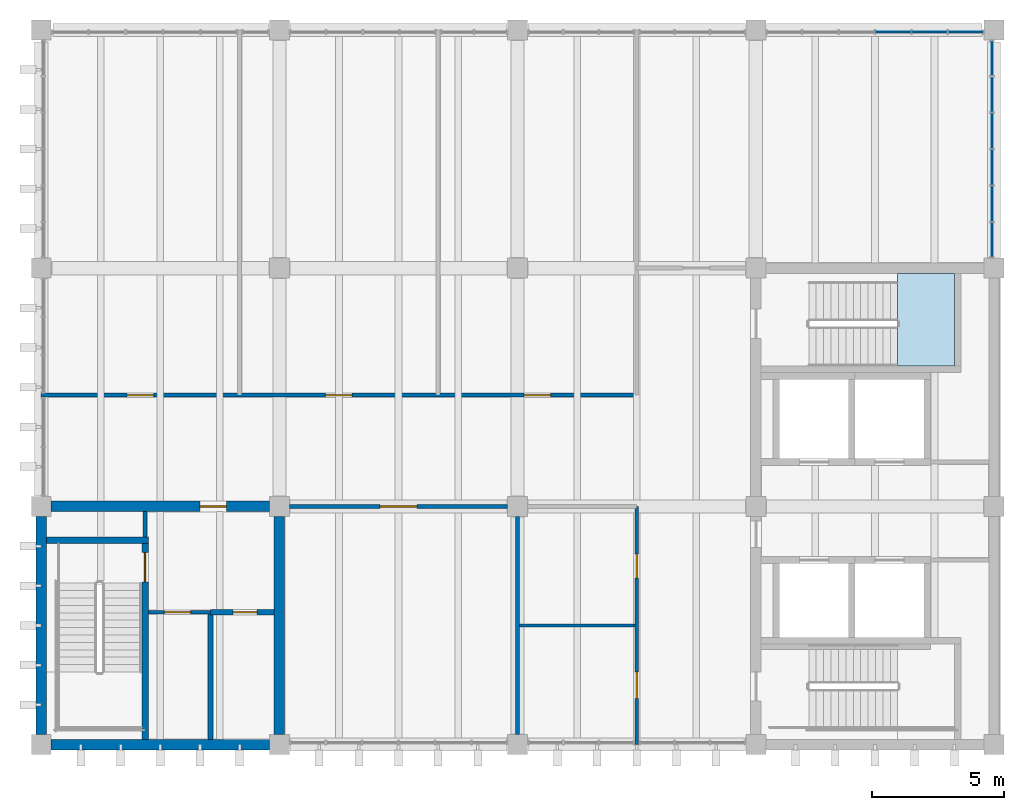
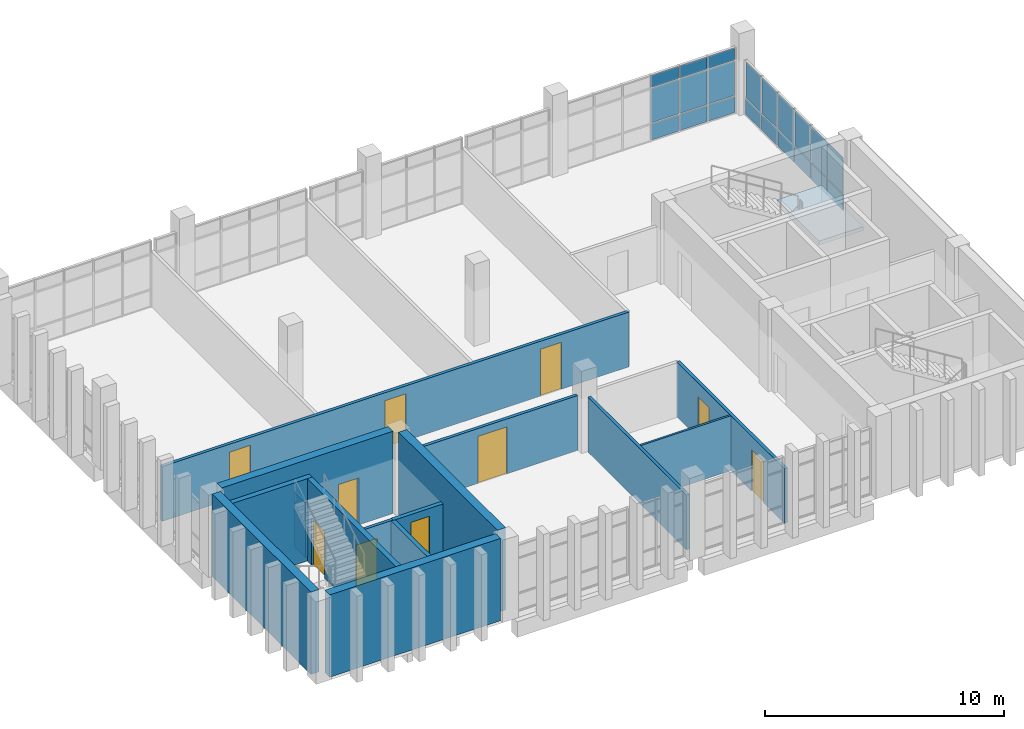
# One storey, part 9 of 14: 21 plates, 15 walls, 10 doors, 1 slab, 10 openings, 3 elements without a shape of their own.
"""IFC4 building model written with IfcOpenShell, lengths in metres."""

from ifc_helpers import new_model, si_unit, direction, frame, frame_2d, origin, origin_2d, place, context, subcontext, project, spatial, polyline, rectangle, outline, extrude, material, layer, layer_set, type_object, element, fill, aggregate, save


model = new_model("IFC4")

# Units and contexts
model_context = context("Model", 3, precision=1e-05, world=origin(), true_north=direction((0.0, 1.0)))
body_context = subcontext(model_context, "Body", "Model", "MODEL_VIEW")
ifc_project = project(units=[si_unit("LENGTHUNIT", "METRE"), si_unit("AREAUNIT", "SQUARE_METRE"), si_unit("VOLUMEUNIT", "CUBIC_METRE"), si_unit("PLANEANGLEUNIT", "RADIAN"), si_unit("MASSUNIT", "GRAM", prefix="KILO")], contexts=[model_context])

# Site, building, storey
site_placement = place(None, origin())
site = spatial("IfcSite", under=ifc_project, at=site_placement, CompositionType="ELEMENT")
building_placement = place(site_placement, origin())
building = spatial("IfcBuilding", under=site, at=building_placement, Name="Merrow Basin Faculty of Sciences", CompositionType="ELEMENT")
storey_placement = place(building_placement, frame((0.0, 0.0, 27.0)))
storey = spatial("IfcBuildingStorey", under=building, at=storey_placement, Name="L06", CompositionType="ELEMENT", Elevation=27.0)

# Curtain wall, plates
ifc_material_1 = material(Name="Aluminium alloy 6063", Category="aluminium")
curtain_wall_type = type_object("IfcCurtainWallType", Name="Unitised curtain wall 160", PredefinedType="NOTDEFINED", material=ifc_material_1)
curtain_wall_1_placement = place(storey_placement, origin())
curtain_wall_1 = element("IfcCurtainWall", 1, at=curtain_wall_1_placement, inside=storey, type_object=curtain_wall_type, Name="N curtain wall L06 7", PredefinedType="NOTDEFINED")
ifc_material_2 = material(Name="Insulated aluminium spandrel panel", Category="aluminium")
ifc_layer_1 = layer(ifc_material_2, 0.052001953125)
ifc_layer_set_1 = layer_set([ifc_layer_1], Name="Insulated spandrel panel 52")
plate_type_1 = type_object("IfcPlateType", Name="Insulated spandrel panel 52", PredefinedType="CURTAIN_PANEL", material=ifc_layer_set_1)
plate_1_placement = place(storey_placement, frame((50.1875, 168.919921875, 0.06005859375), z_axis=(0.0, 0.0, 1.0), x_axis=(1.0, 0.0, 0.0)))
plate_1 = element("IfcPlate", 2, at=plate_1_placement, type_object=plate_type_1, Name="CW3 panel 4.1", PredefinedType="CURTAIN_PANEL", context=body_context, shape_type="SweptSolid", body=[
    extrude(rectangle(XDim=1.31494140625, YDim=0.052001953125, at=origin_2d()), origin(), (0.0, 0.0, 1.0), 0.81005859375),
])
plate_2_placement = place(storey_placement, frame((51.5625, 168.919921875, 0.06005859375), z_axis=(0.0, 0.0, 1.0), x_axis=(1.0, 0.0, 0.0)))
plate_2 = element("IfcPlate", 3, at=plate_2_placement, type_object=plate_type_1, Name="CW3 panel 5.1", PredefinedType="CURTAIN_PANEL", context=body_context, shape_type="SweptSolid", body=[
    extrude(rectangle(XDim=1.31494140625, YDim=0.052001953125, at=origin_2d()), origin(), (0.0, 0.0, 1.0), 0.81005859375),
])
plate_3_placement = place(storey_placement, frame((52.922607421875, 168.919921875, 0.06005859375), z_axis=(0.0, 0.0, 1.0), x_axis=(1.0, 0.0, 0.0)))
plate_3 = element("IfcPlate", 4, at=plate_3_placement, type_object=plate_type_1, Name="CW3 panel 6.1", PredefinedType="CURTAIN_PANEL", context=body_context, shape_type="SweptSolid", body=[
    extrude(rectangle(XDim=1.284912109375, YDim=0.052001953125, at=origin_2d()), origin(), (0.0, 0.0, 1.0), 0.81005859375),
])

curtain_wall_2_placement = place(storey_placement, origin())
curtain_wall_2 = element("IfcCurtainWall", 5, at=curtain_wall_2_placement, inside=storey, type_object=curtain_wall_type, Name="E curtain wall L06 1", PredefinedType="NOTDEFINED")
plate_4_placement = place(storey_placement, frame((53.919921875, 161.077392578125, 0.06005859375), z_axis=(0.0, 0.0, 1.0), x_axis=(0.0, 1.0, 0.0)))
plate_4 = element("IfcPlate", 6, at=plate_4_placement, type_object=plate_type_1, Name="CW3 panel 1.1", PredefinedType="CURTAIN_PANEL", context=body_context, shape_type="SweptSolid", body=[
    extrude(rectangle(XDim=1.284912109375, YDim=0.052001953125, at=origin_2d()), origin(), (0.0, 0.0, 1.0), 0.81005859375),
])
plate_5_placement = place(storey_placement, frame((53.919921875, 162.4375, 0.06005859375), z_axis=(0.0, 0.0, 1.0), x_axis=(0.0, 1.0, 0.0)))
plate_5 = element("IfcPlate", 7, at=plate_5_placement, type_object=plate_type_1, Name="CW3 panel 2.1", PredefinedType="CURTAIN_PANEL", context=body_context, shape_type="SweptSolid", body=[
    extrude(rectangle(XDim=1.31494140625, YDim=0.052001953125, at=origin_2d()), origin(), (0.0, 0.0, 1.0), 0.81005859375),
])
plate_6_placement = place(storey_placement, frame((53.919921875, 163.8125, 0.06005859375), z_axis=(0.0, 0.0, 1.0), x_axis=(0.0, 1.0, 0.0)))
plate_6 = element("IfcPlate", 8, at=plate_6_placement, type_object=plate_type_1, Name="CW3 panel 3.1", PredefinedType="CURTAIN_PANEL", context=body_context, shape_type="SweptSolid", body=[
    extrude(rectangle(XDim=1.31494140625, YDim=0.052001953125, at=origin_2d()), origin(), (0.0, 0.0, 1.0), 0.81005859375),
])
plate_7_placement = place(storey_placement, frame((53.919921875, 165.1875, 0.06005859375), z_axis=(0.0, 0.0, 1.0), x_axis=(0.0, 1.0, 0.0)))
plate_7 = element("IfcPlate", 9, at=plate_7_placement, type_object=plate_type_1, Name="CW3 panel 4.1", PredefinedType="CURTAIN_PANEL", context=body_context, shape_type="SweptSolid", body=[
    extrude(rectangle(XDim=1.31494140625, YDim=0.052001953125, at=origin_2d()), origin(), (0.0, 0.0, 1.0), 0.81005859375),
])
plate_8_placement = place(storey_placement, frame((53.919921875, 166.5625, 0.06005859375), z_axis=(0.0, 0.0, 1.0), x_axis=(0.0, 1.0, 0.0)))
plate_8 = element("IfcPlate", 10, at=plate_8_placement, type_object=plate_type_1, Name="CW3 panel 5.1", PredefinedType="CURTAIN_PANEL", context=body_context, shape_type="SweptSolid", body=[
    extrude(rectangle(XDim=1.31494140625, YDim=0.052001953125, at=origin_2d()), origin(), (0.0, 0.0, 1.0), 0.81005859375),
])
plate_9_placement = place(storey_placement, frame((53.919921875, 167.922607421875, 0.06005859375), z_axis=(0.0, 0.0, 1.0), x_axis=(0.0, 1.0, 0.0)))
plate_9 = element("IfcPlate", 11, at=plate_9_placement, type_object=plate_type_1, Name="CW3 panel 6.1", PredefinedType="CURTAIN_PANEL", context=body_context, shape_type="SweptSolid", body=[
    extrude(rectangle(XDim=1.284912109375, YDim=0.052001953125, at=origin_2d()), origin(), (0.0, 0.0, 1.0), 0.81005859375),
])

# Plate
ifc_material_3 = material(Name="Low-E double glazing", Category="glass")
ifc_layer_2 = layer(ifc_material_3, 0.028076171875)
ifc_layer_set_2 = layer_set([ifc_layer_2], Name="Low-E double glazed panel 28")
plate_type_2 = type_object("IfcPlateType", Name="Low-E double glazed panel 28", PredefinedType="CURTAIN_PANEL", material=ifc_layer_set_2)
plate_10_placement = place(storey_placement, frame((50.1875, 168.919921875, 0.93017578125), z_axis=(0.0, 0.0, 1.0), x_axis=(1.0, 0.0, 0.0)))
plate_10 = element("IfcPlate", 12, at=plate_10_placement, type_object=plate_type_2, Name="CW3 panel 4.2", PredefinedType="CURTAIN_PANEL", context=body_context, shape_type="SweptSolid", body=[
    extrude(rectangle(XDim=1.31494140625, YDim=0.028076171875, at=origin_2d()), origin(), (0.0, 0.0, 1.0), 1.739990234375),
])

plate_11_placement = place(storey_placement, frame((50.1875, 168.919921875, 2.72998046875), z_axis=(0.0, 0.0, 1.0), x_axis=(1.0, 0.0, 0.0)))
plate_11 = element("IfcPlate", 13, at=plate_11_placement, type_object=plate_type_2, Name="CW3 panel 4.3", PredefinedType="CURTAIN_PANEL", context=body_context, shape_type="SweptSolid", body=[
    extrude(rectangle(XDim=1.31494140625, YDim=0.028076171875, at=origin_2d()), origin(), (0.0, 0.0, 1.0), 0.610107421875),
])

plate_12_placement = place(storey_placement, frame((51.5625, 168.919921875, 0.93017578125), z_axis=(0.0, 0.0, 1.0), x_axis=(1.0, 0.0, 0.0)))
plate_12 = element("IfcPlate", 14, at=plate_12_placement, type_object=plate_type_2, Name="CW3 panel 5.2", PredefinedType="CURTAIN_PANEL", context=body_context, shape_type="SweptSolid", body=[
    extrude(rectangle(XDim=1.31494140625, YDim=0.028076171875, at=origin_2d()), origin(), (0.0, 0.0, 1.0), 1.739990234375),
])

plate_13_placement = place(storey_placement, frame((51.5625, 168.919921875, 2.72998046875), z_axis=(0.0, 0.0, 1.0), x_axis=(1.0, 0.0, 0.0)))
plate_13 = element("IfcPlate", 15, at=plate_13_placement, type_object=plate_type_2, Name="CW3 panel 5.3", PredefinedType="CURTAIN_PANEL", context=body_context, shape_type="SweptSolid", body=[
    extrude(rectangle(XDim=1.31494140625, YDim=0.028076171875, at=origin_2d()), origin(), (0.0, 0.0, 1.0), 0.610107421875),
])

plate_14_placement = place(storey_placement, frame((52.922607421875, 168.919921875, 0.93017578125), z_axis=(0.0, 0.0, 1.0), x_axis=(1.0, 0.0, 0.0)))
plate_14 = element("IfcPlate", 16, at=plate_14_placement, type_object=plate_type_2, Name="CW3 panel 6.2", PredefinedType="CURTAIN_PANEL", context=body_context, shape_type="SweptSolid", body=[
    extrude(rectangle(XDim=1.284912109375, YDim=0.028076171875, at=origin_2d()), origin(), (0.0, 0.0, 1.0), 1.739990234375),
])

plate_15_placement = place(storey_placement, frame((52.922607421875, 168.919921875, 2.72998046875), z_axis=(0.0, 0.0, 1.0), x_axis=(1.0, 0.0, 0.0)))
plate_15 = element("IfcPlate", 17, at=plate_15_placement, type_object=plate_type_2, Name="CW3 panel 6.3", PredefinedType="CURTAIN_PANEL", context=body_context, shape_type="SweptSolid", body=[
    extrude(rectangle(XDim=1.284912109375, YDim=0.028076171875, at=origin_2d()), origin(), (0.0, 0.0, 1.0), 0.610107421875),
])

aggregate(curtain_wall_1, [plate_1, plate_10, plate_11, plate_2, plate_12, plate_13, plate_3, plate_14, plate_15])

plate_16_placement = place(storey_placement, frame((53.919921875, 161.077392578125, 0.929931640625), z_axis=(0.0, 0.0, 1.0), x_axis=(0.0, 1.0, 0.0)))
plate_16 = element("IfcPlate", 18, at=plate_16_placement, type_object=plate_type_2, Name="CW3 panel 1.2", PredefinedType="CURTAIN_PANEL", context=body_context, shape_type="SweptSolid", body=[
    extrude(rectangle(XDim=1.284912109375, YDim=0.028076171875, at=origin_2d()), origin(), (0.0, 0.0, 1.0), 1.81005859375),
])

plate_17_placement = place(storey_placement, frame((53.919921875, 162.4375, 0.929931640625), z_axis=(0.0, 0.0, 1.0), x_axis=(0.0, 1.0, 0.0)))
plate_17 = element("IfcPlate", 19, at=plate_17_placement, type_object=plate_type_2, Name="CW3 panel 2.2", PredefinedType="CURTAIN_PANEL", context=body_context, shape_type="SweptSolid", body=[
    extrude(rectangle(XDim=1.31494140625, YDim=0.028076171875, at=origin_2d()), origin(), (0.0, 0.0, 1.0), 1.81005859375),
])

plate_18_placement = place(storey_placement, frame((53.919921875, 163.8125, 0.929931640625), z_axis=(0.0, 0.0, 1.0), x_axis=(0.0, 1.0, 0.0)))
plate_18 = element("IfcPlate", 20, at=plate_18_placement, type_object=plate_type_2, Name="CW3 panel 3.2", PredefinedType="CURTAIN_PANEL", context=body_context, shape_type="SweptSolid", body=[
    extrude(rectangle(XDim=1.31494140625, YDim=0.028076171875, at=origin_2d()), origin(), (0.0, 0.0, 1.0), 1.81005859375),
])

plate_19_placement = place(storey_placement, frame((53.919921875, 165.1875, 0.929931640625), z_axis=(0.0, 0.0, 1.0), x_axis=(0.0, 1.0, 0.0)))
plate_19 = element("IfcPlate", 21, at=plate_19_placement, type_object=plate_type_2, Name="CW3 panel 4.2", PredefinedType="CURTAIN_PANEL", context=body_context, shape_type="SweptSolid", body=[
    extrude(rectangle(XDim=1.31494140625, YDim=0.028076171875, at=origin_2d()), origin(), (0.0, 0.0, 1.0), 1.81005859375),
])

plate_20_placement = place(storey_placement, frame((53.919921875, 166.5625, 0.929931640625), z_axis=(0.0, 0.0, 1.0), x_axis=(0.0, 1.0, 0.0)))
plate_20 = element("IfcPlate", 22, at=plate_20_placement, type_object=plate_type_2, Name="CW3 panel 5.2", PredefinedType="CURTAIN_PANEL", context=body_context, shape_type="SweptSolid", body=[
    extrude(rectangle(XDim=1.31494140625, YDim=0.028076171875, at=origin_2d()), origin(), (0.0, 0.0, 1.0), 1.81005859375),
])

plate_21_placement = place(storey_placement, frame((53.919921875, 167.922607421875, 0.929931640625), z_axis=(0.0, 0.0, 1.0), x_axis=(0.0, 1.0, 0.0)))
plate_21 = element("IfcPlate", 23, at=plate_21_placement, type_object=plate_type_2, Name="CW3 panel 6.2", PredefinedType="CURTAIN_PANEL", context=body_context, shape_type="SweptSolid", body=[
    extrude(rectangle(XDim=1.284912109375, YDim=0.028076171875, at=origin_2d()), origin(), (0.0, 0.0, 1.0), 1.81005859375),
])

aggregate(curtain_wall_2, [plate_4, plate_16, plate_5, plate_17, plate_6, plate_18, plate_7, plate_19, plate_8, plate_20, plate_9, plate_21])

# Stair, slab
ifc_material_4 = material(Name="Concrete C40/50", Category="concrete")
stair_type = type_object("IfcStairType", Name="Concrete dog-leg stair Concrete C40/50", PredefinedType="HALF_TURN_STAIR", material=ifc_material_4)
stair_placement = place(storey_placement, origin())
stair = element("IfcStair", 24, at=stair_placement, inside=storey, type_object=stair_type, Name="L06 Exit stair S", PredefinedType="HALF_TURN_STAIR")
ifc_material_5 = material(Name="Concrete C40/50", Category="concrete")
ifc_layer_3 = layer(ifc_material_5, 0.199951171875)
ifc_layer_set_3 = layer_set([ifc_layer_3], Name="Stair landing 200 Concrete C40/50")
slab_type = type_object("IfcSlabType", Name="Stair landing 200 Concrete C40/50", PredefinedType="LANDING", material=ifc_layer_set_3)
slab_placement = place(storey_placement, frame((0.0, 0.0, 2.050048828125)))
slab = element("IfcSlab", 25, at=slab_placement, type_object=slab_type, Name="ST-V5-S landing 1", PredefinedType="LANDING", context=body_context, shape_type="SweptSolid", body=[
    extrude(outline(polyline([(50.360107421875, 156.300048828125), (52.5, 156.300048828125), (52.5, 159.800048828125), (50.360107421875, 159.800048828125), (50.360107421875, 156.300048828125)])), origin(), (0.0, 0.0, 1.0), 0.199951171875),
])
aggregate(stair, [slab])

# Wall
ifc_material_6 = material(Name="Fire-rated gypsum board")
ifc_layer_4 = layer(ifc_material_6, 0.14990234375)
ifc_layer_set_4 = layer_set([ifc_layer_4], Name="Corridor partition 150 fire-rated board on steel studs")
wall_type_1 = type_object("IfcWallType", Name="Corridor partition 150 fire-rated board on steel studs", PredefinedType="PARTITIONING", material=ifc_layer_set_4)
wall_1_placement = place(storey_placement, frame((21.925048828125, 149.85009765625, 0.0), z_axis=(0.0, 0.0, 1.0), x_axis=(0.0, 1.0, 0.0)))
element("IfcWall", 26, at=wall_1_placement, inside=storey, type_object=wall_type_1, Name="IW151 L06 003", PredefinedType="PARTITIONING", context=body_context, shape_type="SweptSolid", body=[
    extrude(rectangle(XDim=0.949951171875, YDim=0.14990234375, at=frame_2d((0.47509765625, 0.0))), origin(), (0.0, 0.0, 1.0), 2.800048828125),
])

# Wall, openings, doors
wall_2_placement = place(storey_placement, frame((40.5, 142.0, 0.0), z_axis=(0.0, 0.0, 1.0), x_axis=(0.0, 1.0, 0.0)))
wall_2 = element("IfcWall", 27, at=wall_2_placement, inside=storey, type_object=wall_type_1, Name="IW151 L06 004", PredefinedType="PARTITIONING", context=body_context, shape_type="SweptSolid", body=[
    extrude(rectangle(XDim=9.0, YDim=0.14990234375, at=frame_2d((4.5, 0.0))), origin(), (0.0, 0.0, 1.0), 2.800048828125),
])
opening_1_placement = place(wall_2_placement, frame((1.75, 0.0, 0.0)))
opening_1 = element("IfcOpeningElement", 28, at=opening_1_placement, cuts=wall_2, Name="Opening D06T008", PredefinedType="OPENING", context=body_context, shape_type="SweptSolid", body=[
    extrude(rectangle(XDim=1.0, YDim=2.10009765625, at=frame_2d((0.5, 1.050048828125))), frame((0.0, 0.0849609375, 0.0), z_axis=(0.0, -1.0, 0.0), x_axis=(1.0, 0.0, 0.0)), (0.0, 0.0, 1.0), 0.169921875),
])
opening_2_placement = place(wall_2_placement, frame((6.300048828125, 0.0, 0.0)))
opening_2 = element("IfcOpeningElement", 29, at=opening_2_placement, cuts=wall_2, Name="Opening D06T009", PredefinedType="OPENING", context=body_context, shape_type="SweptSolid", body=[
    extrude(rectangle(XDim=0.89990234375, YDim=2.10009765625, at=frame_2d((0.449951171875, 1.050048828125))), frame((0.0, 0.0849609375, 0.0), z_axis=(0.0, -1.0, 0.0), x_axis=(1.0, 0.0, 0.0)), (0.0, 0.0, 1.0), 0.169921875),
])
ifc_material_7 = material(Name="Timber door leaf", Category="wood")
door_type_1 = type_object("IfcDoorType", Name="Accessible door 1000 x 2100", OperationType="NOTDEFINED", PredefinedType="DOOR", material=ifc_material_7)
door_1_placement = place(opening_1_placement, origin())
door_1 = element("IfcDoor", 30, at=door_1_placement, inside=storey, type_object=door_type_1, Name="Door D06T008", OperationType="SINGLE_SWING_LEFT", OverallHeight=2.10009765625, OverallWidth=1.0, PredefinedType="DOOR", context=body_context, shape_type="SweptSolid", body=[
    extrude(rectangle(XDim=1.0, YDim=2.10009765625, at=frame_2d((0.5, 1.050048828125))), frame((0.0, 0.02490234375, 0.0), z_axis=(0.0, -1.0, 0.0), x_axis=(1.0, 0.0, 0.0)), (0.0, 0.0, 1.0), 0.050048828125),
])
fill(opening_1, door_1)
ifc_material_8 = material(Name="Timber door leaf", Category="wood")
door_type_2 = type_object("IfcDoorType", Name="Single swing door 900 x 2100", OperationType="NOTDEFINED", PredefinedType="DOOR", material=ifc_material_8)
door_2_placement = place(opening_2_placement, origin())
door_2 = element("IfcDoor", 31, at=door_2_placement, inside=storey, type_object=door_type_2, Name="Door D06T009", OperationType="SINGLE_SWING_LEFT", OverallHeight=2.10009765625, OverallWidth=0.89990234375, PredefinedType="DOOR", context=body_context, shape_type="SweptSolid", body=[
    extrude(rectangle(XDim=0.89990234375, YDim=2.10009765625, at=frame_2d((0.449951171875, 1.050048828125))), frame((0.0, 0.02490234375, 0.0), z_axis=(0.0, -1.0, 0.0), x_axis=(1.0, 0.0, 0.0)), (0.0, 0.0, 1.0), 0.050048828125),
])
fill(opening_2, door_2)

# Wall, opening, door
wall_3_placement = place(storey_placement, frame((22.050048828125, 147.0, 0.0), z_axis=(0.0, 0.0, 1.0), x_axis=(1.0, 0.0, 0.0)))
wall_3 = element("IfcWall", 32, at=wall_3_placement, inside=storey, type_object=wall_type_1, Name="IW151 L06 005", PredefinedType="PARTITIONING", context=body_context, shape_type="SweptSolid", body=[
    extrude(rectangle(XDim=2.349853515625, YDim=0.14990234375, at=frame_2d((1.1748046875, 0.0))), origin(), (0.0, 0.0, 1.0), 2.800048828125),
])
opening_3_placement = place(wall_3_placement, frame((0.60009765625, 0.0, 0.0)))
opening_3 = element("IfcOpeningElement", 33, at=opening_3_placement, cuts=wall_3, Name="Opening D06T006", PredefinedType="OPENING", context=body_context, shape_type="SweptSolid", body=[
    extrude(rectangle(XDim=1.0, YDim=2.10009765625, at=frame_2d((0.5, 1.050048828125))), frame((0.0, 0.0849609375, 0.0), z_axis=(0.0, -1.0, 0.0), x_axis=(1.0, 0.0, 0.0)), (0.0, 0.0, 1.0), 0.169921875),
])
door_3_placement = place(opening_3_placement, origin())
door_3 = element("IfcDoor", 34, at=door_3_placement, inside=storey, type_object=door_type_1, Name="Door D06T006", OperationType="SINGLE_SWING_LEFT", OverallHeight=2.10009765625, OverallWidth=1.0, PredefinedType="DOOR", context=body_context, shape_type="SweptSolid", body=[
    extrude(rectangle(XDim=1.0, YDim=2.10009765625, at=frame_2d((0.5, 1.050048828125))), frame((0.0, 0.02490234375, 0.0), z_axis=(0.0, -1.0, 0.0), x_axis=(1.0, 0.0, 0.0)), (0.0, 0.0, 1.0), 0.050048828125),
])
fill(opening_3, door_3)

# Wall
ifc_material_9 = material(Name="Fire-rated gypsum board")
ifc_layer_5 = layer(ifc_material_9, 0.14990234375)
ifc_layer_set_5 = layer_set([ifc_layer_5], Name="Laboratory partition 150 fire-rated board on steel studs")
wall_type_2 = type_object("IfcWallType", Name="Laboratory partition 150 fire-rated board on steel studs", PredefinedType="PARTITIONING", material=ifc_layer_set_5)
wall_4_placement = place(storey_placement, frame((36.0, 142.375, 0.0), z_axis=(0.0, 0.0, 1.0), x_axis=(0.0, 1.0, 0.0)))
element("IfcWall", 35, at=wall_4_placement, inside=storey, type_object=wall_type_2, Name="IW150 L06 012", PredefinedType="PARTITIONING", context=body_context, shape_type="SweptSolid", body=[
    extrude(rectangle(XDim=8.25, YDim=0.14990234375, at=frame_2d((4.125, 0.0))), origin(), (0.0, 0.0, 1.0), 2.800048828125),
])

# Wall, opening, door
wall_5_placement = place(storey_placement, frame((27.375, 151.0, 0.0), z_axis=(0.0, 0.0, 1.0), x_axis=(1.0, 0.0, 0.0)))
wall_5 = element("IfcWall", 36, at=wall_5_placement, inside=storey, type_object=wall_type_2, Name="IW150 L06 014", PredefinedType="PARTITIONING", context=body_context, shape_type="SweptSolid", body=[
    extrude(rectangle(XDim=8.25, YDim=0.14990234375, at=frame_2d((4.125, 0.0))), origin(), (0.0, 0.0, 1.0), 2.800048828125),
])
opening_4_placement = place(wall_5_placement, frame((3.425048828125, 0.0, 0.0)))
opening_4 = element("IfcOpeningElement", 37, at=opening_4_placement, cuts=wall_5, Name="Opening D06T013", PredefinedType="OPENING", context=body_context, shape_type="SweptSolid", body=[
    extrude(rectangle(XDim=1.39990234375, YDim=2.39990234375, at=frame_2d((0.699951171875, 1.199951171875))), frame((0.0, 0.0849609375, 0.0), z_axis=(0.0, -1.0, 0.0), x_axis=(1.0, 0.0, 0.0)), (0.0, 0.0, 1.0), 0.169921875),
])
ifc_material_10 = material(Name="Fire-rated steel door", Category="steel")
door_type_3 = type_object("IfcDoorType", Name="Fire door FD60 1400 x 2400", OperationType="NOTDEFINED", PredefinedType="DOOR", material=ifc_material_10)
door_4_placement = place(opening_4_placement, origin())
door_4 = element("IfcDoor", 38, at=door_4_placement, inside=storey, type_object=door_type_3, Name="Door D06T013", OperationType="SINGLE_SWING_LEFT", OverallHeight=2.39990234375, OverallWidth=1.39990234375, PredefinedType="DOOR", context=body_context, shape_type="SweptSolid", body=[
    extrude(rectangle(XDim=1.39990234375, YDim=2.39990234375, at=frame_2d((0.699951171875, 1.199951171875))), frame((0.0, 0.02490234375, 0.0), z_axis=(0.0, -1.0, 0.0), x_axis=(1.0, 0.0, 0.0)), (0.0, 0.0, 1.0), 0.050048828125),
])
fill(opening_4, door_4)

# Wall, openings, doors
wall_6_placement = place(storey_placement, frame((18.0, 155.199951171875, 0.0), z_axis=(0.0, 0.0, 1.0), x_axis=(1.0, 0.0, 0.0)))
wall_6 = element("IfcWall", 39, at=wall_6_placement, inside=storey, type_object=wall_type_2, Name="IW150 L06 015", PredefinedType="PARTITIONING", context=body_context, shape_type="SweptSolid", body=[
    extrude(rectangle(XDim=22.5, YDim=0.14990234375, at=frame_2d((11.25, 0.0))), origin(), (0.0, 0.0, 1.0), 2.800048828125),
])
opening_5_placement = place(wall_6_placement, frame((3.25, 0.0, 0.0)))
opening_5 = element("IfcOpeningElement", 40, at=opening_5_placement, cuts=wall_6, Name="Opening D06T010", PredefinedType="OPENING", context=body_context, shape_type="SweptSolid", body=[
    extrude(rectangle(XDim=1.0, YDim=2.39990234375, at=frame_2d((0.5, 1.199951171875))), frame((0.0, 0.0849609375, 0.0), z_axis=(0.0, -1.0, 0.0), x_axis=(1.0, 0.0, 0.0)), (0.0, 0.0, 1.0), 0.169921875),
])
opening_6_placement = place(wall_6_placement, frame((10.75, 0.0, 0.0)))
opening_6 = element("IfcOpeningElement", 41, at=opening_6_placement, cuts=wall_6, Name="Opening D06T011", PredefinedType="OPENING", context=body_context, shape_type="SweptSolid", body=[
    extrude(rectangle(XDim=1.0, YDim=2.39990234375, at=frame_2d((0.5, 1.199951171875))), frame((0.0, 0.0849609375, 0.0), z_axis=(0.0, -1.0, 0.0), x_axis=(1.0, 0.0, 0.0)), (0.0, 0.0, 1.0), 0.169921875),
])
opening_7_placement = place(wall_6_placement, frame((18.25, 0.0, 0.0)))
opening_7 = element("IfcOpeningElement", 42, at=opening_7_placement, cuts=wall_6, Name="Opening D06T012", PredefinedType="OPENING", context=body_context, shape_type="SweptSolid", body=[
    extrude(rectangle(XDim=1.0, YDim=2.39990234375, at=frame_2d((0.5, 1.199951171875))), frame((0.0, 0.0849609375, 0.0), z_axis=(0.0, -1.0, 0.0), x_axis=(1.0, 0.0, 0.0)), (0.0, 0.0, 1.0), 0.169921875),
])
ifc_material_11 = material(Name="Fire-rated steel door", Category="steel")
door_type_4 = type_object("IfcDoorType", Name="Fire door FD60 1000 x 2400", OperationType="NOTDEFINED", PredefinedType="DOOR", material=ifc_material_11)
door_5_placement = place(opening_5_placement, origin())
door_5 = element("IfcDoor", 43, at=door_5_placement, inside=storey, type_object=door_type_4, Name="Door D06T010", OperationType="SINGLE_SWING_LEFT", OverallHeight=2.39990234375, OverallWidth=1.0, PredefinedType="DOOR", context=body_context, shape_type="SweptSolid", body=[
    extrude(rectangle(XDim=1.0, YDim=2.39990234375, at=frame_2d((0.5, 1.199951171875))), frame((0.0, 0.02490234375, 0.0), z_axis=(0.0, -1.0, 0.0), x_axis=(1.0, 0.0, 0.0)), (0.0, 0.0, 1.0), 0.050048828125),
])
fill(opening_5, door_5)
door_6_placement = place(opening_6_placement, origin())
door_6 = element("IfcDoor", 44, at=door_6_placement, inside=storey, type_object=door_type_4, Name="Door D06T011", OperationType="SINGLE_SWING_LEFT", OverallHeight=2.39990234375, OverallWidth=1.0, PredefinedType="DOOR", context=body_context, shape_type="SweptSolid", body=[
    extrude(rectangle(XDim=1.0, YDim=2.39990234375, at=frame_2d((0.5, 1.199951171875))), frame((0.0, 0.02490234375, 0.0), z_axis=(0.0, -1.0, 0.0), x_axis=(1.0, 0.0, 0.0)), (0.0, 0.0, 1.0), 0.050048828125),
])
fill(opening_6, door_6)
door_7_placement = place(opening_7_placement, origin())
door_7 = element("IfcDoor", 45, at=door_7_placement, inside=storey, type_object=door_type_4, Name="Door D06T012", OperationType="SINGLE_SWING_LEFT", OverallHeight=2.39990234375, OverallWidth=1.0, PredefinedType="DOOR", context=body_context, shape_type="SweptSolid", body=[
    extrude(rectangle(XDim=1.0, YDim=2.39990234375, at=frame_2d((0.5, 1.199951171875))), frame((0.0, 0.02490234375, 0.0), z_axis=(0.0, -1.0, 0.0), x_axis=(1.0, 0.0, 0.0)), (0.0, 0.0, 1.0), 0.050048828125),
])
fill(opening_7, door_7)

# Walls
ifc_material_12 = material(Name="Moisture-resistant gypsum board")
ifc_layer_6 = layer(ifc_material_12, 0.10009765625)
ifc_layer_set_6 = layer_set([ifc_layer_6], Name="Partition 100 moisture-resistant board on steel studs")
wall_type_3 = type_object("IfcWallType", Name="Partition 100 moisture-resistant board on steel studs", PredefinedType="PARTITIONING", material=ifc_layer_set_6)
wall_7_placement = place(storey_placement, frame((36.074951171875, 146.5, 0.0), z_axis=(0.0, 0.0, 1.0), x_axis=(1.0, 0.0, 0.0)))
element("IfcWall", 46, at=wall_7_placement, inside=storey, type_object=wall_type_3, Name="IW101 L06 016", PredefinedType="PARTITIONING", context=body_context, shape_type="SweptSolid", body=[
    extrude(rectangle(XDim=4.35009765625, YDim=0.10009765625, at=frame_2d((2.175048828125, 0.0))), origin(), (0.0, 0.0, 1.0), 2.800048828125),
])
ifc_material_13 = material(Name="Fire-rated gypsum board")
ifc_layer_7 = layer(ifc_material_13, 0.199951171875)
ifc_layer_set_7 = layer_set([ifc_layer_7], Name="Riser lining 200 fire-rated board on steel studs")
wall_type_4 = type_object("IfcWallType", Name="Riser lining 200 fire-rated board on steel studs", PredefinedType="PARTITIONING", material=ifc_layer_set_7)
wall_8_placement = place(storey_placement, frame((24.39990234375, 142.199951171875, 0.0), z_axis=(0.0, 0.0, 1.0), x_axis=(0.0, 1.0, 0.0)))
element("IfcWall", 47, at=wall_8_placement, inside=storey, type_object=wall_type_4, Name="IW200 L06 001", PredefinedType="PARTITIONING", context=body_context, shape_type="SweptSolid", body=[
    extrude(rectangle(XDim=4.800048828125, YDim=0.199951171875, at=frame_2d((2.39990234375, 0.0))), origin(), (0.0, 0.0, 1.0), 2.800048828125),
])

# Wall, opening, door
wall_9_placement = place(storey_placement, frame((24.39990234375, 147.0, 0.0), z_axis=(0.0, 0.0, 1.0), x_axis=(1.0, 0.0, 0.0)))
wall_9 = element("IfcWall", 48, at=wall_9_placement, inside=storey, type_object=wall_type_4, Name="IW200 L06 002", PredefinedType="PARTITIONING", context=body_context, shape_type="SweptSolid", body=[
    extrude(rectangle(XDim=2.400146484375, YDim=0.199951171875, at=frame_2d((1.2001953125, 0.0))), origin(), (0.0, 0.0, 1.0), 2.800048828125),
])
opening_8_placement = place(wall_9_placement, frame((0.85009765625, 0.0, 0.0)))
opening_8 = element("IfcOpeningElement", 49, at=opening_8_placement, cuts=wall_9, Name="Opening D06T007", PredefinedType="OPENING", context=body_context, shape_type="SweptSolid", body=[
    extrude(rectangle(XDim=0.89990234375, YDim=2.39990234375, at=frame_2d((0.449951171875, 1.199951171875))), frame((0.0, 0.10986328125, 0.0), z_axis=(0.0, -1.0, 0.0), x_axis=(1.0, 0.0, 0.0)), (0.0, 0.0, 1.0), 0.219970703125),
])
ifc_material_14 = material(Name="Fire-rated steel door", Category="steel")
door_type_5 = type_object("IfcDoorType", Name="Fire door FD60 900 x 2400", OperationType="NOTDEFINED", PredefinedType="DOOR", material=ifc_material_14)
door_8_placement = place(opening_8_placement, origin())
door_8 = element("IfcDoor", 50, at=door_8_placement, inside=storey, type_object=door_type_5, Name="Door D06T007", OperationType="SINGLE_SWING_RIGHT", OverallHeight=2.39990234375, OverallWidth=0.89990234375, PredefinedType="DOOR", context=body_context, shape_type="SweptSolid", body=[
    extrude(rectangle(XDim=0.89990234375, YDim=2.39990234375, at=frame_2d((0.449951171875, 1.199951171875))), frame((0.0, 0.02490234375, 0.0), z_axis=(0.0, -1.0, 0.0), x_axis=(1.0, 0.0, 0.0)), (0.0, 0.0, 1.0), 0.050048828125),
])
fill(opening_8, door_8)

# Wall
ifc_material_15 = material(Name="Concrete C40/50", Category="concrete")
ifc_layer_8 = layer(ifc_material_15, 0.25)
ifc_layer_set_8 = layer_set([ifc_layer_8], Name="Shear wall 250 Concrete C40/50")
wall_type_5 = type_object("IfcWallType", Name="Shear wall 250 Concrete C40/50", PredefinedType="SHEAR", material=ifc_layer_set_8)
wall_10_placement = place(storey_placement, frame((18.199951171875, 149.72509765625, 0.0), z_axis=(0.0, 0.0, 1.0), x_axis=(1.0, 0.0, 0.0)))
element("IfcWall", 51, at=wall_10_placement, inside=storey, type_object=wall_type_5, Name="SW2 L06 029", PredefinedType="SHEAR", context=body_context, shape_type="SweptSolid", body=[
    extrude(rectangle(XDim=3.85009765625, YDim=0.25, at=frame_2d((1.925048828125, 0.0))), origin(), (0.0, 0.0, 1.0), 4.199951171875),
])

# Wall, opening, door
wall_11_placement = place(storey_placement, frame((21.925048828125, 142.199951171875, 0.0), z_axis=(0.0, 0.0, 1.0), x_axis=(0.0, 1.0, 0.0)))
wall_11 = element("IfcWall", 52, at=wall_11_placement, inside=storey, type_object=wall_type_5, Name="SW2 L06 030", PredefinedType="SHEAR", context=body_context, shape_type="SweptSolid", body=[
    extrude(rectangle(XDim=7.400146484375, YDim=0.25, at=frame_2d((3.7001953125, 0.0))), origin(), (0.0, 0.0, 1.0), 4.199951171875),
])
opening_9_placement = place(wall_11_placement, frame((5.949951171875, 0.0, 0.0)))
opening_9 = element("IfcOpeningElement", 53, at=opening_9_placement, cuts=wall_11, Name="Opening D06T004", PredefinedType="OPENING", context=body_context, shape_type="SweptSolid", body=[
    extrude(rectangle(XDim=1.10009765625, YDim=2.39990234375, at=frame_2d((0.550048828125, 1.199951171875))), frame((0.0, 0.135009765625, 0.0), z_axis=(0.0, -1.0, 0.0), x_axis=(1.0, 0.0, 0.0)), (0.0, 0.0, 1.0), 0.27001953125),
])
ifc_material_16 = material(Name="Fire-rated steel door", Category="steel")
door_type_6 = type_object("IfcDoorType", Name="Fire door FD90 1100 x 2400", OperationType="NOTDEFINED", PredefinedType="DOOR", material=ifc_material_16)
door_9_placement = place(opening_9_placement, origin())
door_9 = element("IfcDoor", 54, at=door_9_placement, inside=storey, type_object=door_type_6, Name="Door D06T004", OperationType="SINGLE_SWING_RIGHT", OverallHeight=2.39990234375, OverallWidth=1.10009765625, PredefinedType="DOOR", context=body_context, shape_type="SweptSolid", body=[
    extrude(rectangle(XDim=1.10009765625, YDim=2.39990234375, at=frame_2d((0.550048828125, 1.199951171875))), frame((0.0, 0.02490234375, 0.0), z_axis=(0.0, -1.0, 0.0), x_axis=(1.0, 0.0, 0.0)), (0.0, 0.0, 1.0), 0.050048828125),
])
fill(opening_9, door_9)

# Wall
ifc_material_17 = material(Name="Concrete C40/50", Category="concrete")
ifc_layer_9 = layer(ifc_material_17, 0.39990234375)
ifc_layer_set_9 = layer_set([ifc_layer_9], Name="Shear wall 400 Concrete C40/50")
wall_type_6 = type_object("IfcWallType", Name="Shear wall 400 Concrete C40/50", PredefinedType="SHEAR", material=ifc_layer_set_9)
wall_12_placement = place(storey_placement, frame((18.375, 142.0, 0.0), z_axis=(0.0, 0.0, 1.0), x_axis=(1.0, 0.0, 0.0)))
element("IfcWall", 55, at=wall_12_placement, inside=storey, type_object=wall_type_6, Name="SW1 L06 025", PredefinedType="SHEAR", context=body_context, shape_type="SweptSolid", body=[
    extrude(rectangle(XDim=8.25, YDim=0.39990234375, at=frame_2d((4.125, 0.0))), origin(), (0.0, 0.0, 1.0), 4.199951171875),
])

# Wall, opening, door
wall_13_placement = place(storey_placement, frame((18.375, 151.0, 0.0), z_axis=(0.0, 0.0, 1.0), x_axis=(1.0, 0.0, 0.0)))
wall_13 = element("IfcWall", 56, at=wall_13_placement, inside=storey, type_object=wall_type_6, Name="SW1 L06 026", PredefinedType="SHEAR", context=body_context, shape_type="SweptSolid", body=[
    extrude(rectangle(XDim=8.25, YDim=0.39990234375, at=frame_2d((4.125, 0.0))), origin(), (0.0, 0.0, 1.0), 4.199951171875),
])
opening_10_placement = place(wall_13_placement, frame((5.625, 0.0, 0.0)))
opening_10 = element("IfcOpeningElement", 57, at=opening_10_placement, cuts=wall_13, Name="Opening D06T005", PredefinedType="OPENING", context=body_context, shape_type="SweptSolid", body=[
    extrude(rectangle(XDim=1.0, YDim=2.39990234375, at=frame_2d((0.5, 1.199951171875))), frame((0.0, 0.2099609375, 0.0), z_axis=(0.0, -1.0, 0.0), x_axis=(1.0, 0.0, 0.0)), (0.0, 0.0, 1.0), 0.419921875),
])
door_10_placement = place(opening_10_placement, origin())
door_10 = element("IfcDoor", 58, at=door_10_placement, inside=storey, type_object=door_type_4, Name="Door D06T005", OperationType="SINGLE_SWING_RIGHT", OverallHeight=2.39990234375, OverallWidth=1.0, PredefinedType="DOOR", context=body_context, shape_type="SweptSolid", body=[
    extrude(rectangle(XDim=1.0, YDim=2.39990234375, at=frame_2d((0.5, 1.199951171875))), frame((0.0, 0.02490234375, 0.0), z_axis=(0.0, -1.0, 0.0), x_axis=(1.0, 0.0, 0.0)), (0.0, 0.0, 1.0), 0.050048828125),
])
fill(opening_10, door_10)

# Walls
for number, where, z_axis, x_axis, name in (
    (59, (18.0, 142.375, 0.0), (0.0, 0.0, 1.0), (0.0, 1.0, 0.0), "SW1 L06 027"),
    (60, (27.0, 142.375, 0.0), (0.0, 0.0, 1.0), (0.0, 1.0, 0.0), "SW1 L06 028"),
):
    element("IfcWall", number, at=place(storey_placement, frame(where, z_axis=z_axis, x_axis=x_axis)), inside=storey, type_object=wall_type_6, Name=name, PredefinedType="SHEAR", context=body_context, shape_type="SweptSolid", body=[
        extrude(rectangle(XDim=8.25, YDim=0.39990234375, at=frame_2d((4.125, 0.0))), origin(), (0.0, 0.0, 1.0), 4.199951171875),
    ])

save(model, "model.ifc")
